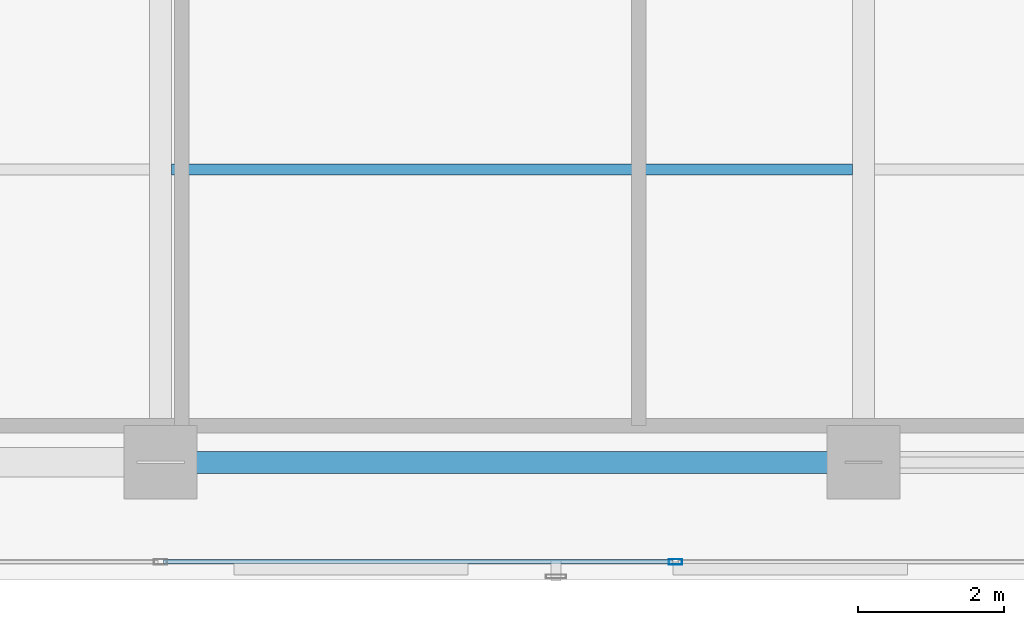
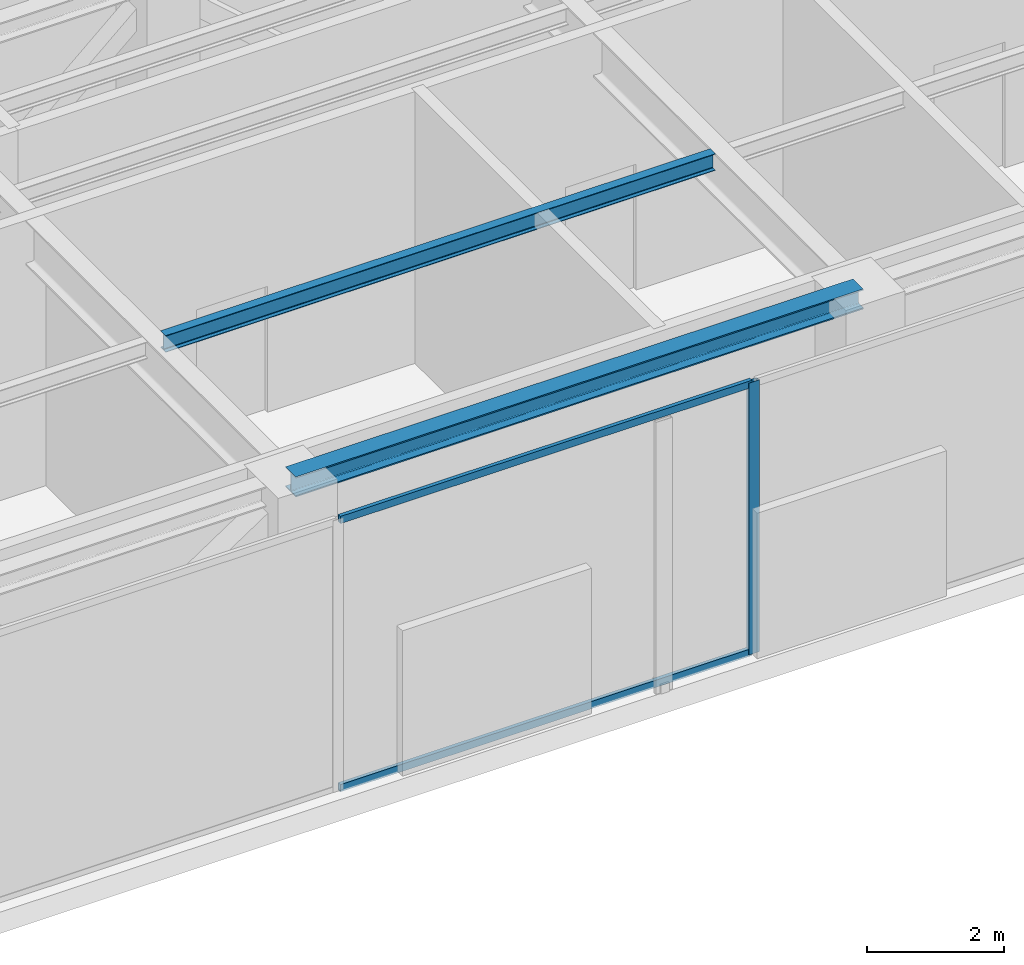
# One storey, part 7 of 31: 3 members, 2 beams, 1 element without a shape of its own.
"""IFC4 building model written with IfcOpenShell, lengths in metres."""

from ifc_helpers import new_model, si_unit, direction, frame, origin, origin_with_axes, origin_2d, place, context, subcontext, project, spatial, hollow_rectangle, i_section, extrude, source, transform, mapped, material, layer, layer_set, material_profile, profile_set, type_object, element, aggregate, save


model = new_model("IFC4")

# Units and contexts
model_context = context("Model", 3, precision=1e-05, world=origin(), true_north=direction((0.0, 1.0)))
body_context = subcontext(model_context, "Body", "Model", "MODEL_VIEW")
ifc_project = project(units=[si_unit("LENGTHUNIT", "METRE"), si_unit("AREAUNIT", "SQUARE_METRE"), si_unit("VOLUMEUNIT", "CUBIC_METRE"), si_unit("PLANEANGLEUNIT", "RADIAN"), si_unit("MASSUNIT", "GRAM", prefix="KILO")], contexts=[model_context])

# Site, building, storey
site_placement = place(None, origin())
site = spatial("IfcSite", under=ifc_project, at=site_placement, CompositionType="ELEMENT")
building_placement = place(site_placement, origin())
building = spatial("IfcBuilding", under=site, at=building_placement, Name="Kolvaren Waterfront Exchange", CompositionType="ELEMENT")
storey_placement = place(building_placement, frame((0.0, 0.0, 257.699951171875)))
storey = spatial("IfcBuildingStorey", under=building, at=storey_placement, Name="L66", CompositionType="ELEMENT", Elevation=257.699951171875)

# Beams
ifc_material_1 = material(Name="Steel S355", Category="steel")
ifc_material_profile_1 = material_profile(ifc_material_1, i_section(OverallWidth=0.300048828125, OverallDepth=0.360107421875, WebThickness=0.012451171875, FlangeThickness=0.0224609375, FilletRadius=0.027099609375, at=origin_2d()), Name="HEB360")
ifc_profile_set_1 = profile_set([ifc_material_profile_1], Name="Steel S355")
beam_type_1 = type_object("IfcBeamType", Name="STR-BM-HEB360", PredefinedType="SPANDREL", material=ifc_profile_set_1)
beam_1_placement = place(storey_placement, frame((27.199951171875, 5.199951171875, 4.679931640625), z_axis=(1.0, 0.0, 0.0), x_axis=(0.0, 1.0, 0.0)))
element("IfcBeam", 1, at=beam_1_placement, inside=storey, type_object=beam_type_1, Name="L66 east-arm spandrel S2", PredefinedType="SPANDREL", context=body_context, shape_type="SweptSolid", body=[
    extrude(i_section(OverallWidth=0.300048828125, OverallDepth=0.360107421875, WebThickness=0.012451171875, FlangeThickness=0.0224609375, FilletRadius=0.027099609375, at=origin_2d()), origin(), (0.0, 0.0, 1.0), 9.60009765625),
])
ifc_material_profile_2 = material_profile(ifc_material_1, i_section(OverallWidth=0.14990234375, OverallDepth=0.300048828125, WebThickness=0.007080078125, FlangeThickness=0.0107421875, FilletRadius=0.014892578125, at=origin_2d()), Name="IPE300")
ifc_profile_set_2 = profile_set([ifc_material_profile_2], Name="Steel S355")
beam_type_2 = type_object("IfcBeamType", Name="STR-BM-IPE300", PredefinedType="JOIST", material=ifc_profile_set_2)
beam_2_placement = place(storey_placement, frame((27.35205078125, 9.199951171875, 4.7099609375), z_axis=(1.0, 0.0, 0.0), x_axis=(0.0, 1.0, 0.0)))
element("IfcBeam", 2, at=beam_2_placement, inside=storey, type_object=beam_type_2, Name="L66 east-arm composite joist 2B", PredefinedType="JOIST", context=body_context, shape_type="SweptSolid", body=[
    extrude(i_section(OverallWidth=0.14990234375, OverallDepth=0.300048828125, WebThickness=0.007080078125, FlangeThickness=0.0107421875, FilletRadius=0.014892578125, at=origin_2d()), origin(), (0.0, 0.0, 1.0), 9.2958984375),
])

# Curtain wall, members
ifc_material_2 = material(Name="Anodised dark bronze spandrel aluminium", Category="aluminium")
ifc_layer = layer(ifc_material_2, 0.219970703125, Name="Anodised dark bronze spandrel aluminium")
ifc_layer_set = layer_set([ifc_layer], Name="Anodised dark bronze spandrel aluminium")
curtain_wall_type = type_object("IfcCurtainWallType", Name="ARC-CW-SYS6", PredefinedType="USERDEFINED", material=ifc_layer_set)
curtain_wall_placement = place(storey_placement, origin())
curtain_wall = element("IfcCurtainWall", 3, at=curtain_wall_placement, inside=storey, type_object=curtain_wall_type, Name="L66 stick curtain wall CW6 (CW-L66-S)", ObjectType="STICK CURTAIN WALL", PredefinedType="USERDEFINED")
ifc_material_3 = material(Name="Anodised bronze aluminium 6063-T6", Category="aluminium")
ifc_material_profile_3 = material_profile(ifc_material_3, hollow_rectangle(XDim=0.074951171875, YDim=0.179931640625, WallThickness=0.00439453125, at=origin_2d()), Name="ALU-MUL-180x75x4.5")
ifc_profile_set_3 = profile_set([ifc_material_profile_3], Name="Anodised bronze aluminium 6063-T6")
member_type_1 = type_object("IfcMemberType", Name="ARC-CWM-180", PredefinedType="MULLION", material=ifc_profile_set_3)
shared_shape_1 = source(origin_with_axes(), body_context, "Body", "SweptSolid", [
    extrude(hollow_rectangle(XDim=0.074951171875, YDim=0.179931640625, WallThickness=0.00439453125, at=origin_2d()), origin(), (0.0, 0.0, 1.0), 4.860107421875),
])
member_1_placement = place(storey_placement, frame((34.2333984375, 3.840087890625, 0.0), z_axis=(0.0, 0.0, 1.0), x_axis=(0.0, 1.0, 0.0)))
member_1 = element("IfcMember", 4, at=member_1_placement, type_object=member_type_1, Name="CW6 mullion 5", PredefinedType="MULLION", context=body_context, shape_type="MappedRepresentation", body=[
    mapped(shared_shape_1, transform((0.0, 0.0, 0.0), x_axis=(1.0, 0.0, 0.0), y_axis=(0.0, 1.0, 0.0), z_axis=(0.0, 0.0, 1.0), scale=1.0)),
])
ifc_material_profile_4 = material_profile(ifc_material_3, hollow_rectangle(XDim=0.06494140625, YDim=0.1298828125, WallThickness=0.00390625, at=origin_2d()), Name="ALU-TRN-130x65x4")
ifc_profile_set_4 = profile_set([ifc_material_profile_4], Name="Anodised bronze aluminium 6063-T6")
member_type_2 = type_object("IfcMemberType", Name="ARC-CWT-130", PredefinedType="USERDEFINED", material=ifc_profile_set_4)
shared_shape_2 = source(origin_with_axes(), body_context, "Body", "SweptSolid", [
    extrude(hollow_rectangle(XDim=0.06494140625, YDim=0.1298828125, WallThickness=0.00390625, at=origin_2d()), origin(), (0.0, 0.0, 1.0), 6.958251953125),
])
member_2_placement = place(storey_placement, frame((27.237548828125, 3.840087890625, 0.032470703125), z_axis=(1.0, 0.0, 0.0), x_axis=(0.0, 1.0, 0.0)))
member_2 = element("IfcMember", 5, at=member_2_placement, type_object=member_type_2, Name="CW6 transom 4.1", ObjectType="TRANSOM", PredefinedType="USERDEFINED", context=body_context, shape_type="MappedRepresentation", body=[
    mapped(shared_shape_2, transform((0.0, 0.0, 0.0), x_axis=(1.0, 0.0, 0.0), y_axis=(0.0, 1.0, 0.0), z_axis=(0.0, 0.0, 1.0), scale=1.0)),
])
member_3_placement = place(storey_placement, frame((27.237548828125, 3.840087890625, 4.82763671875), z_axis=(1.0, 0.0, 0.0), x_axis=(0.0, 1.0, 0.0)))
member_3 = element("IfcMember", 6, at=member_3_placement, type_object=member_type_2, Name="CW6 transom 4.2", ObjectType="TRANSOM", PredefinedType="USERDEFINED", context=body_context, shape_type="MappedRepresentation", body=[
    mapped(shared_shape_2, transform((0.0, 0.0, 0.0), x_axis=(1.0, 0.0, 0.0), y_axis=(0.0, 1.0, 0.0), z_axis=(0.0, 0.0, 1.0), scale=1.0)),
])
aggregate(curtain_wall, [member_1, member_2, member_3])

save(model, "model.ifc")
